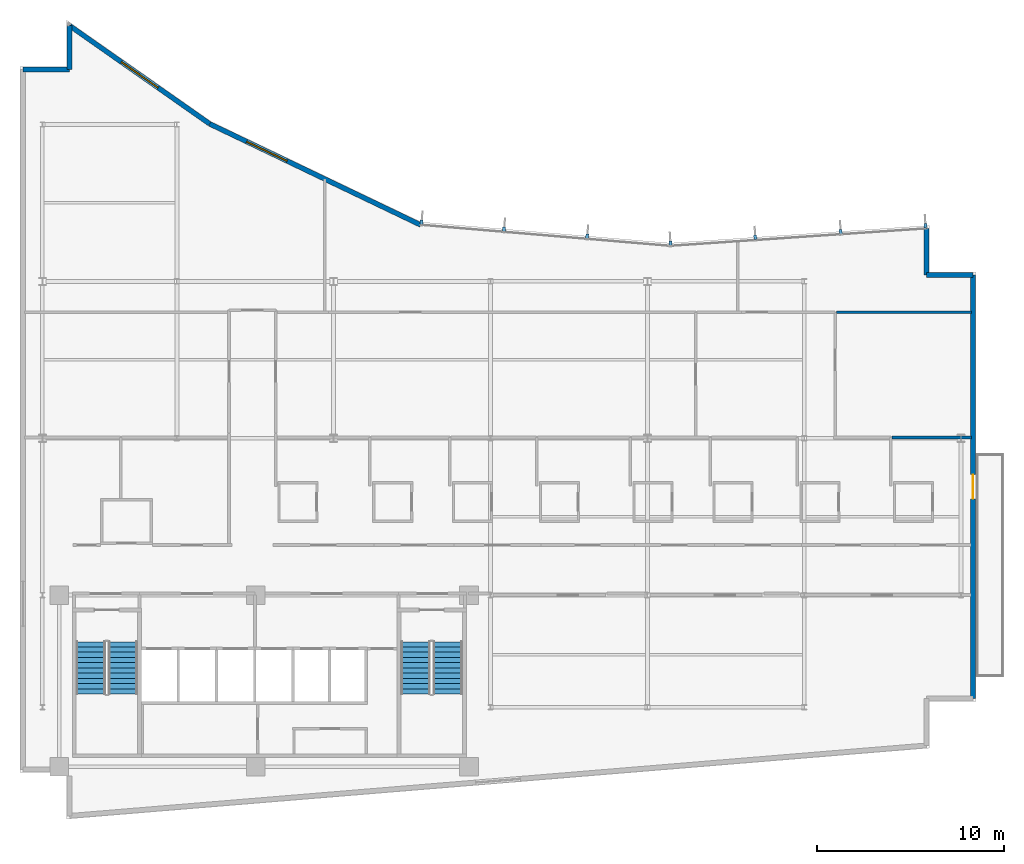
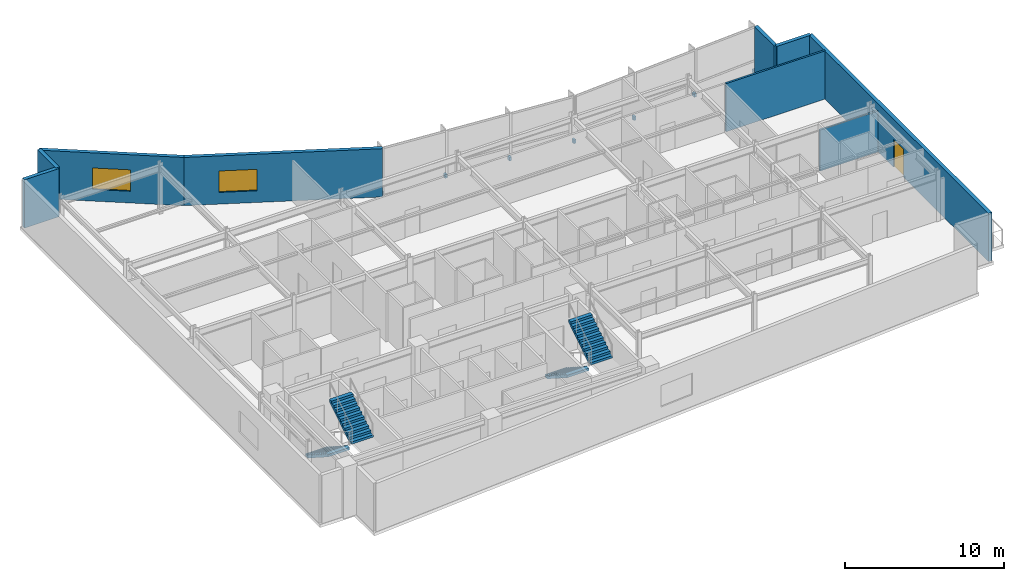
# One storey, part 12 of 15: 9 walls, 7 discrete accessories, 4 stair flights, 2 windows, 1 door, 3 openings, 2 elements without a shape of their own.
"""IFC4 building model written with IfcOpenShell, lengths in metres."""

from ifc_helpers import new_model, si_unit, direction, frame, frame_2d, origin, origin_2d, place, context, subcontext, project, spatial, polyline, rectangle, outline, extrude, material, layer, layer_set, type_object, element, fill, aggregate, save


model = new_model("IFC4")

# Units and contexts
model_context = context("Model", 3, precision=1e-05, world=origin(), true_north=direction((0.0, 1.0)))
body_context = subcontext(model_context, "Body", "Model", "MODEL_VIEW")
ifc_project = project(units=[si_unit("LENGTHUNIT", "METRE"), si_unit("AREAUNIT", "SQUARE_METRE"), si_unit("VOLUMEUNIT", "CUBIC_METRE"), si_unit("PLANEANGLEUNIT", "RADIAN"), si_unit("MASSUNIT", "GRAM", prefix="KILO")], contexts=[model_context])

# Site, building, storey
site_placement = place(None, origin())
site = spatial("IfcSite", under=ifc_project, at=site_placement, CompositionType="ELEMENT")
building_placement = place(site_placement, origin())
building = spatial("IfcBuilding", under=site, at=building_placement, Name="Varnakote Quay Hospital", CompositionType="ELEMENT")
storey_placement = place(building_placement, frame((0.0, 0.0, 196.050048828125)))
storey = spatial("IfcBuildingStorey", under=building, at=storey_placement, Name="L48", CompositionType="ELEMENT", Elevation=196.050048828125)

# Wall, opening, door
ifc_material_1 = material(Name="Precast concrete N50 (f'c 50 MPa)", Category="concrete")
ifc_layer_1 = layer(ifc_material_1, 0.260009765625)
ifc_layer_set_1 = layer_set([ifc_layer_1], Name="Precast concrete N50 (f'c 50 MPa)")
wall_type_1 = type_object("IfcWallType", Name="WL-EXT-BRICK-260", PredefinedType="STANDARD", material=ifc_layer_set_1)
wall_1_placement = place(storey_placement, frame((51.0400390625, 6.4599609375, 0.0), z_axis=(0.0, 0.0, 1.0), x_axis=(0.0, 1.0, 0.0)))
wall_1 = element("IfcWall", 1, at=wall_1_placement, inside=storey, type_object=wall_type_1, Name="L48 Healing Terrace Portal Brick Wall", PredefinedType="STANDARD", context=body_context, shape_type="SweptSolid", body=[
    extrude(rectangle(XDim=22.679931640625, YDim=0.260009765625, at=frame_2d((11.33984375, 0.0))), origin(), (0.0, 0.0, 1.0), 3.7099609375),
])
opening_1_placement = place(wall_1_placement, frame((10.68994140625, 0.0, 0.0)))
opening_1 = element("IfcOpeningElement", 2, at=opening_1_placement, cuts=wall_1, Name="Opening DT-L48", PredefinedType="OPENING", context=body_context, shape_type="SweptSolid", body=[
    extrude(rectangle(XDim=1.300048828125, YDim=2.14990234375, at=frame_2d((0.64990234375, 1.074951171875))), frame((0.0, 0.139892578125, 0.0), z_axis=(0.0, -1.0, 0.0), x_axis=(1.0, 0.0, 0.0)), (0.0, 0.0, 1.0), 0.280029296875),
])
ifc_material_2 = material(Name="Anodised aluminium glazed terrace door", Category="aluminium")
door_type = type_object("IfcDoorType", Name="DR-EXT-TERR-1300x2150", OperationType="NOTDEFINED", PredefinedType="DOOR", material=ifc_material_2)
door_placement = place(opening_1_placement, origin())
door = element("IfcDoor", 3, at=door_placement, inside=storey, type_object=door_type, Name="L48 Waterfront Healing Terrace Door", OperationType="SINGLE_SWING_LEFT", OverallHeight=2.14990234375, OverallWidth=1.300048828125, PredefinedType="DOOR", context=body_context, shape_type="SweptSolid", body=[
    extrude(rectangle(XDim=1.300048828125, YDim=2.14990234375, at=frame_2d((0.64990234375, 1.074951171875))), frame((0.0, 0.02490234375, 0.0), z_axis=(0.0, -1.0, 0.0), x_axis=(1.0, 0.0, 0.0)), (0.0, 0.0, 1.0), 0.050048828125),
])
fill(opening_1, door)

# Walls
wall_2_placement = place(storey_placement, frame((51.0400390625, 29.139892578125, 0.0), z_axis=(0.0, 0.0, 1.0), x_axis=(-1.0, 0.0, 0.0)))
element("IfcWall", 4, at=wall_2_placement, inside=storey, type_object=wall_type_1, Name="L48 Brick-Faced Precast Exterior Wall", PredefinedType="STANDARD", context=body_context, shape_type="SweptSolid", body=[
    extrude(rectangle(XDim=2.5, YDim=0.260009765625, at=frame_2d((1.25, 0.0))), origin(), (0.0, 0.0, 1.0), 3.7099609375),
])
wall_3_placement = place(storey_placement, frame((48.5400390625, 29.139892578125, 0.0), z_axis=(0.0, 0.0, 1.0), x_axis=(0.0, 1.0, 0.0)))
element("IfcWall", 5, at=wall_3_placement, inside=storey, type_object=wall_type_1, Name="L48 Brick-Faced Precast Exterior Wall", PredefinedType="STANDARD", context=body_context, shape_type="SweptSolid", body=[
    extrude(rectangle(XDim=2.489013671875, YDim=0.260009765625, at=frame_2d((1.24462890625, 0.0))), origin(), (0.0, 0.0, 1.0), 3.7099609375),
])

# Wall, opening, window
wall_4_placement = place(storey_placement, frame((21.461181640625, 31.822998046875, 0.0), z_axis=(0.0, 0.0, 1.0), x_axis=(-0.901858094827, 0.432032379336, 0.0)))
wall_4 = element("IfcWall", 6, at=wall_4_placement, inside=storey, type_object=wall_type_1, Name="L48 Brick-Faced Precast Exterior Wall", PredefinedType="STANDARD", context=body_context, shape_type="SweptSolid", body=[
    extrude(rectangle(XDim=12.5322265625, YDim=0.260009765625, at=frame_2d((6.26611328125, 0.0))), origin(), (0.0, 0.0, 1.0), 3.7099609375),
])
opening_2_placement = place(wall_4_placement, frame((7.93212890625, 0.0, 0.89990234375)))
opening_2 = element("IfcOpeningElement", 7, at=opening_2_placement, cuts=wall_4, Name="Opening WN-0199", PredefinedType="OPENING", context=body_context, shape_type="SweptSolid", body=[
    extrude(rectangle(XDim=2.39990234375, YDim=1.64990234375, at=frame_2d((1.199951171875, 0.824951171875))), frame((0.0, 0.139892578125, 0.0), z_axis=(0.0, -1.0, 0.0), x_axis=(1.0, 0.0, 0.0)), (0.0, 0.0, 1.0), 0.280029296875),
])
ifc_material_3 = material(Name="Double-glazed low-E solar glass", Category="glass")
window_type = type_object("IfcWindowType", Name="WIN-CLIN-2400x1650", PartitioningType="SINGLE_PANEL", PredefinedType="WINDOW", material=ifc_material_3)
window_1_placement = place(opening_2_placement, origin())
window_1 = element("IfcWindow", 8, at=window_1_placement, inside=storey, type_object=window_type, Name="L48 Solar-Control Clinical Window", OverallHeight=1.64990234375, OverallWidth=2.39990234375, PartitioningType="SINGLE_PANEL", PredefinedType="WINDOW", context=body_context, shape_type="SweptSolid", body=[
    extrude(rectangle(XDim=2.39990234375, YDim=1.64990234375, at=frame_2d((1.199951171875, 0.824951171875))), frame((0.0, 0.030029296875, 0.0), z_axis=(0.0, -1.0, 0.0), x_axis=(1.0, 0.0, 0.0)), (0.0, 0.0, 1.0), 0.06005859375),
])
fill(opening_2, window_1)

wall_5_placement = place(storey_placement, frame((10.158935546875, 37.2373046875, 0.0), z_axis=(0.0, 0.0, 1.0), x_axis=(-0.818933702389, 0.57388813465, 0.0)))
wall_5 = element("IfcWall", 9, at=wall_5_placement, inside=storey, type_object=wall_type_1, Name="L48 Brick-Faced Precast Exterior Wall", PredefinedType="STANDARD", context=body_context, shape_type="SweptSolid", body=[
    extrude(rectangle(XDim=9.156982421875, YDim=0.260009765625, at=frame_2d((4.57861328125, 0.0))), origin(), (0.0, 0.0, 1.0), 3.7099609375),
])
opening_3_placement = place(wall_5_placement, frame((3.37841796875, 0.0, 0.89990234375)))
opening_3 = element("IfcOpeningElement", 10, at=opening_3_placement, cuts=wall_5, Name="Opening WN-0200", PredefinedType="OPENING", context=body_context, shape_type="SweptSolid", body=[
    extrude(rectangle(XDim=2.39990234375, YDim=1.64990234375, at=frame_2d((1.199951171875, 0.824951171875))), frame((0.0, 0.139892578125, 0.0), z_axis=(0.0, -1.0, 0.0), x_axis=(1.0, 0.0, 0.0)), (0.0, 0.0, 1.0), 0.280029296875),
])
window_2_placement = place(opening_3_placement, origin())
window_2 = element("IfcWindow", 11, at=window_2_placement, inside=storey, type_object=window_type, Name="L48 Solar-Control Clinical Window", OverallHeight=1.64990234375, OverallWidth=2.39990234375, PartitioningType="SINGLE_PANEL", PredefinedType="WINDOW", context=body_context, shape_type="SweptSolid", body=[
    extrude(rectangle(XDim=2.39990234375, YDim=1.64990234375, at=frame_2d((1.199951171875, 0.824951171875))), frame((0.0, 0.030029296875, 0.0), z_axis=(0.0, -1.0, 0.0), x_axis=(1.0, 0.0, 0.0)), (0.0, 0.0, 1.0), 0.06005859375),
])
fill(opening_3, window_2)

# Walls
wall_6_placement = place(storey_placement, frame((2.659912109375, 42.492431640625, 0.0), z_axis=(0.0, 0.0, 1.0), x_axis=(0.0, -1.0, 0.0)))
element("IfcWall", 12, at=wall_6_placement, inside=storey, type_object=wall_type_1, Name="L48 Brick-Faced Precast Exterior Wall", PredefinedType="STANDARD", context=body_context, shape_type="SweptSolid", body=[
    extrude(rectangle(XDim=2.3525390625, YDim=0.260009765625, at=frame_2d((1.17626953125, 0.0))), origin(), (0.0, 0.0, 1.0), 3.7099609375),
])
wall_7_placement = place(storey_placement, frame((2.659912109375, 40.139892578125, 0.0), z_axis=(0.0, 0.0, 1.0), x_axis=(-1.0, 0.0, 0.0)))
element("IfcWall", 13, at=wall_7_placement, inside=storey, type_object=wall_type_1, Name="L48 Brick-Faced Precast Exterior Wall", PredefinedType="STANDARD", context=body_context, shape_type="SweptSolid", body=[
    extrude(rectangle(XDim=2.5, YDim=0.260009765625, at=frame_2d((1.25, 0.0))), origin(), (0.0, 0.0, 1.0), 3.7099609375),
])
ifc_material_4 = material(Name="Smoke-proof clinical partition", Category="gypsum")
ifc_layer_2 = layer(ifc_material_4, 0.135009765625)
ifc_layer_set_2 = layer_set([ifc_layer_2], Name="Smoke-proof clinical partition")
wall_type_2 = type_object("IfcWallType", Name="WL-SMOKE-135", PredefinedType="PARTITIONING", material=ifc_layer_set_2)
wall_8_placement = place(storey_placement, frame((50.9599609375, 20.43994140625, 0.0), z_axis=(0.0, 0.0, 1.0), x_axis=(-1.0, 0.0, 0.0)))
element("IfcWall", 14, at=wall_8_placement, inside=storey, type_object=wall_type_2, Name="L48 Clinical Interior Partition", PredefinedType="PARTITIONING", context=body_context, shape_type="SweptSolid", body=[
    extrude(rectangle(XDim=4.262451171875, YDim=0.135009765625, at=frame_2d((2.13134765625, 0.0))), origin(), (0.0, 0.0, 1.0), 3.15185546875),
])
wall_9_placement = place(storey_placement, frame((50.9599609375, 27.139892578125, 0.0), z_axis=(0.0, 0.0, 1.0), x_axis=(-1.0, 0.0, 0.0)))
element("IfcWall", 15, at=wall_9_placement, inside=storey, type_object=wall_type_2, Name="L48 Clinical Interior Partition", PredefinedType="PARTITIONING", context=body_context, shape_type="SweptSolid", body=[
    extrude(rectangle(XDim=7.242431640625, YDim=0.135009765625, at=frame_2d((3.62109375, 0.0))), origin(), (0.0, 0.0, 1.0), 3.7099609375),
])

# Stair, stair flights
ifc_material_5 = material(Name="Concrete N40 (f'c 40 MPa)", Category="concrete")
stair_type = type_object("IfcStairType", Name="STR-CORE-1580", PredefinedType="HALF_TURN_STAIR", material=ifc_material_5)
stair_1_placement = place(storey_placement, origin())
stair_1 = element("IfcStair", 16, at=stair_1_placement, inside=storey, type_object=stair_type, Name="L48 Fire-Isolated Exit Stair ST-01", PredefinedType="HALF_TURN_STAIR")
ifc_material_6 = material(Name="Concrete N40 (f'c 40 MPa)", Category="concrete")
ifc_layer_3 = layer(ifc_material_6, 0.159912109375)
ifc_layer_set_3 = layer_set([ifc_layer_3], Name="Concrete N40 (f'c 40 MPa)")
stair_flight_type = type_object("IfcStairFlightType", Name="FLT-CORE-1580", PredefinedType="STRAIGHT", material=ifc_layer_set_3)
stair_flight_1_placement = place(storey_placement, frame((3.7900390625, 9.5, 0.0), z_axis=(0.0, 0.0, 1.0), x_axis=(0.0, -1.0, 0.0)))
stair_flight_1 = element("IfcStairFlight", 17, at=stair_flight_1_placement, type_object=stair_flight_type, Name="ST-01 flight 1", NumberOfRisers=11, NumberOfTreads=10, PredefinedType="STRAIGHT", RiserHeight=0.179545455, TreadLength=0.28, context=body_context, shape_type="SweptSolid", body=[
    extrude(outline(polyline([(0.0, 0.0), (0.0, 0.179443359375), (0.280029296875, 0.179443359375), (0.280029296875, 0.359130859375), (0.56005859375, 0.359130859375), (0.56005859375, 0.53857421875), (0.840087890625, 0.53857421875), (0.840087890625, 0.71826171875), (1.1201171875, 0.71826171875), (1.1201171875, 0.897705078125), (1.39990234375, 0.897705078125), (1.39990234375, 1.077392578125), (1.679931640625, 1.077392578125), (1.679931640625, 1.2568359375), (1.9599609375, 1.2568359375), (1.9599609375, 1.436279296875), (2.239990234375, 1.436279296875), (2.239990234375, 1.615966796875), (2.52001953125, 1.615966796875), (2.52001953125, 1.79541015625), (2.800048828125, 1.79541015625), (2.800048828125, 1.97509765625), (2.800048828125, 1.60546875), (0.296142578125, 0.0), (0.0, 0.0)])), frame((0.0, 0.7900390625, 0.0), z_axis=(0.0, -1.0, 0.0), x_axis=(1.0, 0.0, 0.0)), (0.0, 0.0, 1.0), 1.580078125),
])
stair_flight_2_placement = place(storey_placement, frame((5.510009765625, 6.699951171875, 1.974853515625), z_axis=(0.0, 0.0, 1.0), x_axis=(0.0, 1.0, 0.0)))
stair_flight_2 = element("IfcStairFlight", 18, at=stair_flight_2_placement, type_object=stair_flight_type, Name="ST-01 flight 2", NumberOfRisers=11, NumberOfTreads=10, PredefinedType="STRAIGHT", RiserHeight=0.179545455, TreadLength=0.28, context=body_context, shape_type="SweptSolid", body=[
    extrude(outline(polyline([(0.0, 0.0), (0.0, 0.179443359375), (0.280029296875, 0.179443359375), (0.280029296875, 0.359130859375), (0.56005859375, 0.359130859375), (0.56005859375, 0.53857421875), (0.840087890625, 0.53857421875), (0.840087890625, 0.71826171875), (1.1201171875, 0.71826171875), (1.1201171875, 0.897705078125), (1.39990234375, 0.897705078125), (1.39990234375, 1.077392578125), (1.679931640625, 1.077392578125), (1.679931640625, 1.2568359375), (1.9599609375, 1.2568359375), (1.9599609375, 1.436279296875), (2.239990234375, 1.436279296875), (2.239990234375, 1.615966796875), (2.52001953125, 1.615966796875), (2.52001953125, 1.79541015625), (2.800048828125, 1.79541015625), (2.800048828125, 1.97509765625), (2.800048828125, 1.60546875), (0.296142578125, 0.0), (0.0, 0.0)])), frame((0.0, 0.7900390625, 0.0), z_axis=(0.0, -1.0, 0.0), x_axis=(1.0, 0.0, 0.0)), (0.0, 0.0, 1.0), 1.580078125),
])
aggregate(stair_1, [stair_flight_1, stair_flight_2])

stair_2_placement = place(storey_placement, origin())
stair_2 = element("IfcStair", 19, at=stair_2_placement, inside=storey, type_object=stair_type, Name="L48 Fire-Isolated Exit Stair ST-02", PredefinedType="HALF_TURN_STAIR")
stair_flight_3_placement = place(storey_placement, frame((21.18994140625, 9.5, 0.0), z_axis=(0.0, 0.0, 1.0), x_axis=(0.0, -1.0, 0.0)))
stair_flight_3 = element("IfcStairFlight", 20, at=stair_flight_3_placement, type_object=stair_flight_type, Name="ST-02 flight 1", NumberOfRisers=11, NumberOfTreads=10, PredefinedType="STRAIGHT", RiserHeight=0.179545455, TreadLength=0.28, context=body_context, shape_type="SweptSolid", body=[
    extrude(outline(polyline([(0.0, 0.0), (0.0, 0.179443359375), (0.280029296875, 0.179443359375), (0.280029296875, 0.359130859375), (0.56005859375, 0.359130859375), (0.56005859375, 0.53857421875), (0.840087890625, 0.53857421875), (0.840087890625, 0.71826171875), (1.1201171875, 0.71826171875), (1.1201171875, 0.897705078125), (1.39990234375, 0.897705078125), (1.39990234375, 1.077392578125), (1.679931640625, 1.077392578125), (1.679931640625, 1.2568359375), (1.9599609375, 1.2568359375), (1.9599609375, 1.436279296875), (2.239990234375, 1.436279296875), (2.239990234375, 1.615966796875), (2.52001953125, 1.615966796875), (2.52001953125, 1.79541015625), (2.800048828125, 1.79541015625), (2.800048828125, 1.97509765625), (2.800048828125, 1.60546875), (0.296142578125, 0.0), (0.0, 0.0)])), frame((0.0, 0.7900390625, 0.0), z_axis=(0.0, -1.0, 0.0), x_axis=(1.0, 0.0, 0.0)), (0.0, 0.0, 1.0), 1.580078125),
])
stair_flight_4_placement = place(storey_placement, frame((22.909912109375, 6.699951171875, 1.974853515625), z_axis=(0.0, 0.0, 1.0), x_axis=(0.0, 1.0, 0.0)))
stair_flight_4 = element("IfcStairFlight", 21, at=stair_flight_4_placement, type_object=stair_flight_type, Name="ST-02 flight 2", NumberOfRisers=11, NumberOfTreads=10, PredefinedType="STRAIGHT", RiserHeight=0.179545455, TreadLength=0.28, context=body_context, shape_type="SweptSolid", body=[
    extrude(outline(polyline([(0.0, 0.0), (0.0, 0.179443359375), (0.280029296875, 0.179443359375), (0.280029296875, 0.359130859375), (0.56005859375, 0.359130859375), (0.56005859375, 0.53857421875), (0.840087890625, 0.53857421875), (0.840087890625, 0.71826171875), (1.1201171875, 0.71826171875), (1.1201171875, 0.897705078125), (1.39990234375, 0.897705078125), (1.39990234375, 1.077392578125), (1.679931640625, 1.077392578125), (1.679931640625, 1.2568359375), (1.9599609375, 1.2568359375), (1.9599609375, 1.436279296875), (2.239990234375, 1.436279296875), (2.239990234375, 1.615966796875), (2.52001953125, 1.615966796875), (2.52001953125, 1.79541015625), (2.800048828125, 1.79541015625), (2.800048828125, 1.97509765625), (2.800048828125, 1.60546875), (0.296142578125, 0.0), (0.0, 0.0)])), frame((0.0, 0.7900390625, 0.0), z_axis=(0.0, -1.0, 0.0), x_axis=(1.0, 0.0, 0.0)), (0.0, 0.0, 1.0), 1.580078125),
])
aggregate(stair_2, [stair_flight_3, stair_flight_4])

# Discrete accessories
ifc_material_7 = material(Name="Anodised aluminium 6063-T6 Bronze", Category="aluminium")
discrete_accessory_type = type_object("IfcDiscreteAccessoryType", Name="ACC-FIN-BRACKET-180", PredefinedType="BRACKET", material=ifc_material_7)
for number, where, z_axis, x_axis, name in (
    (22, (48.497314453125, 31.776123046875, 0.0), (0.0, 0.0, 1.0), (-0.997696134548, -0.067841160875, 0.0), "L48 Curtain Wall Fin Fixing Bracket"),
    (23, (43.95458984375, 31.46728515625, 0.0), (0.0, 0.0, 1.0), (-0.997696134548, -0.067841160875, 0.0), "L48 Curtain Wall Fin Fixing Bracket"),
    (24, (39.379638671875, 31.15625, 0.0), (0.0, 0.0, 1.0), (-0.997696134548, -0.067841160875, 0.0), "L48 Curtain Wall Fin Fixing Bracket"),
    (25, (34.8369140625, 30.847412109375, 0.0), (0.0, 0.0, 1.0), (-0.997696134548, -0.067841160875, 0.0), "L48 Curtain Wall Fin Fixing Bracket"),
    (26, (30.376220703125, 31.220703125, 0.0), (0.0, 0.0, 1.0), (-0.996448909038, 0.084199594279, 0.0), "L48 Curtain Wall Fin Fixing Bracket"),
    (27, (25.925048828125, 31.5966796875, 0.0), (0.0, 0.0, 1.0), (-0.996448909038, 0.084199594279, 0.0), "L48 Curtain Wall Fin Fixing Bracket"),
    (28, (21.50634765625, 31.9697265625, 0.0), (0.0, 0.0, 1.0), (-0.996448909038, 0.084199594279, 0.0), "L48 Curtain Wall Fin Fixing Bracket"),
):
    element("IfcDiscreteAccessory", number, at=place(storey_placement, frame(where, z_axis=z_axis, x_axis=x_axis)), inside=storey, type_object=discrete_accessory_type, Name=name, PredefinedType="BRACKET", context=body_context, shape_type="SweptSolid", body=[
        extrude(rectangle(XDim=0.159912109375, YDim=0.239990234375, at=origin_2d()), origin(), (0.0, 0.0, 1.0), 0.280029296875),
    ])

save(model, "model.ifc")
